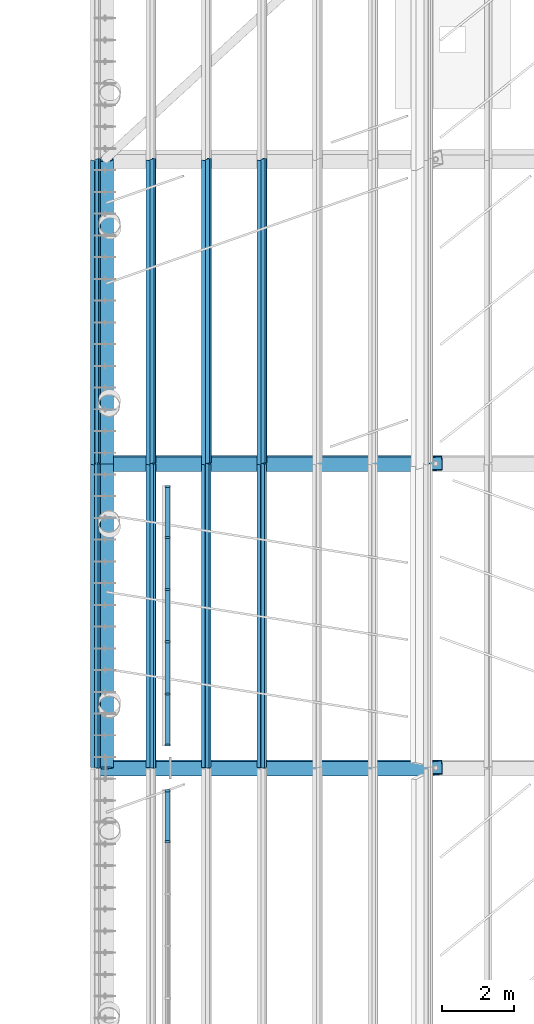
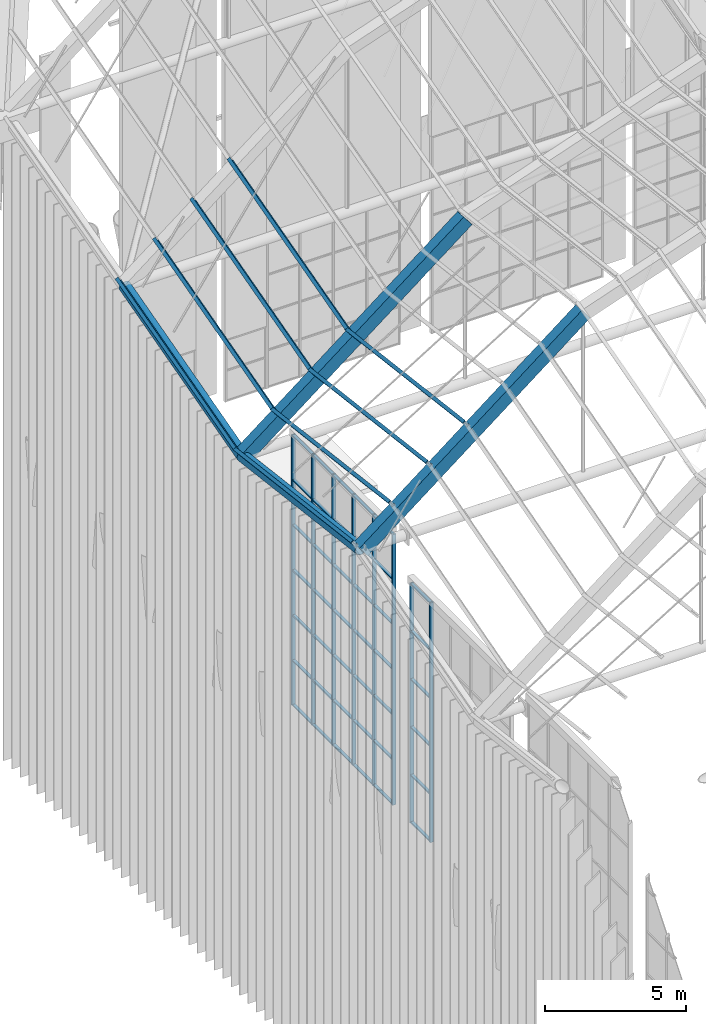
# One storey, part 26 of 126: 57 members, 4 beams, 2 elements without a shape of their own.
"""IFC4 building model written with IfcOpenShell, lengths in metres."""

from ifc_helpers import new_model, si_unit, direction, frame, origin, origin_2d, place, context, subcontext, project, spatial, polyline, rectangle, hollow_circle, i_section, outline, extrude, material, material_profile, profile_set, type_object, element, aggregate, save


model = new_model("IFC4")

# Units and contexts
model_context = context("Model", 3, precision=1e-05, world=origin(), true_north=direction((0.0, 1.0)))
body_context = subcontext(model_context, "Body", "Model", "MODEL_VIEW")
ifc_project = project(units=[si_unit("LENGTHUNIT", "METRE"), si_unit("AREAUNIT", "SQUARE_METRE"), si_unit("VOLUMEUNIT", "CUBIC_METRE"), si_unit("PLANEANGLEUNIT", "RADIAN"), si_unit("MASSUNIT", "GRAM", prefix="KILO")], contexts=[model_context])

# Site, building, storey
site_placement = place(None, origin())
site = spatial("IfcSite", under=ifc_project, at=site_placement, CompositionType="ELEMENT")
building_placement = place(site_placement, origin())
building = spatial("IfcBuilding", under=site, at=building_placement, Name="Sava Quay Ferry Terminal", CompositionType="ELEMENT")
storey_placement = place(building_placement, frame((0.0, 0.0, 15.0)))
storey = spatial("IfcBuildingStorey", under=building, at=storey_placement, Name="L03", CompositionType="ELEMENT", Elevation=15.0)

# Beams
ifc_material_1 = material(Name="Steel S355", Category="steel")
ifc_material_profile_1 = material_profile(ifc_material_1, outline(polyline([(-0.199951171875, -0.300048828125), (0.199951171875, -0.300048828125), (0.199951171875, 0.300048828125), (-0.199951171875, 0.300048828125), (-0.199951171875, -0.300048828125)]), holes=[polyline([(-0.175048828125, -0.27490234375), (-0.175048828125, 0.27490234375), (0.175048828125, 0.27490234375), (0.175048828125, -0.27490234375), (-0.175048828125, -0.27490234375)])]), Name="Box 600x400x25 built-up")
ifc_profile_set_1 = profile_set([ifc_material_profile_1], Name="Steel S355")
beam_type_1 = type_object("IfcBeamType", Name="D folded rib Box 600x400x25", PredefinedType="BEAM", material=ifc_profile_set_1)
for number, where, z_axis, x_axis, name in (
    (1, (42.0, 75.60009765625, 12.071044921875), (0.788010316968, 0.0, 0.615662034198), (-0.036969644414, 0.998195454511, 0.047318917839), "Departure hall folded rib R3 seg 1"),
    (2, (42.0, 84.0, 11.029052734375), (0.788010316968, 0.0, 0.615662034198), (-0.0353461917, 0.998350589221, 0.04524099616), "Departure hall folded rib R4 seg 1"),
):
    element("IfcBeam", number, at=place(storey_placement, frame(where, z_axis=z_axis, x_axis=x_axis)), inside=storey, type_object=beam_type_1, Name=name, PredefinedType="BEAM", context=body_context, shape_type="SweptSolid", body=[
        extrude(outline(polyline([(-0.199951171875, -0.300048828125), (0.199951171875, -0.300048828125), (0.199951171875, 0.300048828125), (-0.199951171875, 0.300048828125), (-0.199951171875, -0.300048828125)]), holes=[polyline([(-0.175048828125, -0.27490234375), (-0.175048828125, 0.27490234375), (0.175048828125, 0.27490234375), (0.175048828125, -0.27490234375), (-0.175048828125, -0.27490234375)])]), origin(), (0.0, 0.0, 1.0), 11.5859375),
    ])
ifc_material_2 = material(Name="Steel S355", Category="steel")
ifc_material_profile_2 = material_profile(ifc_material_2, hollow_circle(Radius=0.228515625, WallThickness=0.01611328125, at=origin_2d()), Name="CHS 457 x 16.0")
ifc_profile_set_2 = profile_set([ifc_material_profile_2], Name="Steel S355")
beam_type_2 = type_object("IfcBeamType", Name="Eave beam CHS 457x16", PredefinedType="BEAM", material=ifc_profile_set_2)
beam_1_placement = place(storey_placement, frame((42.0, 75.60009765625, 12.071044921875), z_axis=(0.0, 0.992393702798, -0.123104584187), x_axis=(-1.0, 0.0, 0.0)))
element("IfcBeam", 3, at=beam_1_placement, inside=storey, type_object=beam_type_2, Name="Departure hall eave beam L4", PredefinedType="BEAM", context=body_context, shape_type="SweptSolid", body=[
    extrude(hollow_circle(Radius=0.228515625, WallThickness=0.01611328125, at=origin_2d()), origin(), (0.0, 0.0, 1.0), 8.46435546875),
])
beam_2_placement = place(storey_placement, frame((42.0, 84.0, 11.029052734375), z_axis=(0.0, 0.964560390264, 0.263862186629), x_axis=(-1.0, 0.0, 0.0)))
element("IfcBeam", 4, at=beam_2_placement, inside=storey, type_object=beam_type_2, Name="Departure hall eave beam L5", PredefinedType="BEAM", context=body_context, shape_type="SweptSolid", body=[
    extrude(hollow_circle(Radius=0.228515625, WallThickness=0.01611328125, at=origin_2d()), origin(), (0.0, 0.0, 1.0), 8.70849609375),
])

# Curtain wall, members
ifc_material_3 = material(Name="Aluminium and glass curtain wall, double low-e glazed", Category="aluminium")
curtain_wall_type = type_object("IfcCurtainWallType", Name="Curtain wall CW-F flank", PredefinedType="NOTDEFINED", material=ifc_material_3)
curtain_wall_1_placement = place(storey_placement, origin())
curtain_wall_1 = element("IfcCurtainWall", 5, at=curtain_wall_1_placement, inside=storey, type_object=curtain_wall_type, Name="Curtain wall D-W L03 bay 3", PredefinedType="NOTDEFINED")
ifc_material_4 = material(Name="Aluminium EN AW-6063 T6", Category="aluminium")
ifc_material_profile_3 = material_profile(ifc_material_4, rectangle(XDim=0.14990234375, YDim=0.06005859375, at=origin_2d()), Name="Mullion 60x150 aluminium")
ifc_profile_set_3 = profile_set([ifc_material_profile_3], Name="Aluminium EN AW-6063 T6")
member_type_1 = type_object("IfcMemberType", Name="Mullion 60x150 aluminium", PredefinedType="MULLION", material=ifc_profile_set_3)
member_1_placement = place(storey_placement, frame((43.72509765625, 73.56005859375, 0.0), z_axis=(0.0, 0.0, 1.0), x_axis=(-1.0, 0.0, 0.0)))
member_1 = element("IfcMember", 6, at=member_1_placement, type_object=member_type_1, Name="CW106 mullion 5", PredefinedType="MULLION", context=body_context, shape_type="SweptSolid", body=[
    extrude(rectangle(XDim=0.14990234375, YDim=0.06005859375, at=origin_2d()), origin(), (0.0, 0.0, 1.0), 10.39990234375),
])
member_2_placement = place(storey_placement, frame((43.72509765625, 74.969970703125, 0.0), z_axis=(0.0, 0.0, 1.0), x_axis=(-1.0, 0.0, 0.0)))
member_2 = element("IfcMember", 7, at=member_2_placement, type_object=member_type_1, Name="CW106 mullion 6", PredefinedType="MULLION", context=body_context, shape_type="SweptSolid", body=[
    extrude(rectangle(XDim=0.14990234375, YDim=0.06005859375, at=origin_2d()), origin(), (0.0, 0.0, 1.0), 10.39990234375),
])

curtain_wall_2_placement = place(storey_placement, origin())
curtain_wall_2 = element("IfcCurtainWall", 8, at=curtain_wall_2_placement, inside=storey, type_object=curtain_wall_type, Name="Curtain wall D-W L03 bay 4", PredefinedType="NOTDEFINED")
member_3_placement = place(storey_placement, frame((43.72509765625, 76.22998046875, 0.0), z_axis=(0.0, 0.0, 1.0), x_axis=(-1.0, 0.0, 0.0)))
member_3 = element("IfcMember", 9, at=member_3_placement, type_object=member_type_1, Name="CW109 mullion 1", PredefinedType="MULLION", context=body_context, shape_type="SweptSolid", body=[
    extrude(rectangle(XDim=0.14990234375, YDim=0.06005859375, at=origin_2d()), origin(), (0.0, 0.0, 1.0), 11.75),
])
member_4_placement = place(storey_placement, frame((43.72509765625, 77.639892578125, 0.0), z_axis=(0.0, 0.0, 1.0), x_axis=(-1.0, 0.0, 0.0)))
member_4 = element("IfcMember", 10, at=member_4_placement, type_object=member_type_1, Name="CW109 mullion 2", PredefinedType="MULLION", context=body_context, shape_type="SweptSolid", body=[
    extrude(rectangle(XDim=0.14990234375, YDim=0.06005859375, at=origin_2d()), origin(), (0.0, 0.0, 1.0), 11.75),
])
member_5_placement = place(storey_placement, frame((43.72509765625, 79.080078125, 0.0), z_axis=(0.0, 0.0, 1.0), x_axis=(-1.0, 0.0, 0.0)))
member_5 = element("IfcMember", 11, at=member_5_placement, type_object=member_type_1, Name="CW109 mullion 3", PredefinedType="MULLION", context=body_context, shape_type="SweptSolid", body=[
    extrude(rectangle(XDim=0.14990234375, YDim=0.06005859375, at=origin_2d()), origin(), (0.0, 0.0, 1.0), 11.75),
])
member_6_placement = place(storey_placement, frame((43.72509765625, 80.52001953125, 0.0), z_axis=(0.0, 0.0, 1.0), x_axis=(-1.0, 0.0, 0.0)))
member_6 = element("IfcMember", 12, at=member_6_placement, type_object=member_type_1, Name="CW109 mullion 4", PredefinedType="MULLION", context=body_context, shape_type="SweptSolid", body=[
    extrude(rectangle(XDim=0.14990234375, YDim=0.06005859375, at=origin_2d()), origin(), (0.0, 0.0, 1.0), 11.75),
])
member_7_placement = place(storey_placement, frame((43.72509765625, 81.9599609375, 0.0), z_axis=(0.0, 0.0, 1.0), x_axis=(-1.0, 0.0, 0.0)))
member_7 = element("IfcMember", 13, at=member_7_placement, type_object=member_type_1, Name="CW109 mullion 5", PredefinedType="MULLION", context=body_context, shape_type="SweptSolid", body=[
    extrude(rectangle(XDim=0.14990234375, YDim=0.06005859375, at=origin_2d()), origin(), (0.0, 0.0, 1.0), 11.75),
])
member_8_placement = place(storey_placement, frame((43.72509765625, 83.3701171875, 0.0), z_axis=(0.0, 0.0, 1.0), x_axis=(-1.0, 0.0, 0.0)))
member_8 = element("IfcMember", 14, at=member_8_placement, type_object=member_type_1, Name="CW109 mullion 6", PredefinedType="MULLION", context=body_context, shape_type="SweptSolid", body=[
    extrude(rectangle(XDim=0.14990234375, YDim=0.06005859375, at=origin_2d()), origin(), (0.0, 0.0, 1.0), 11.75),
])

# Members
ifc_material_5 = material(Name="Steel S355", Category="steel")
ifc_material_profile_4 = material_profile(ifc_material_5, i_section(OverallWidth=0.135009765625, OverallDepth=0.27001953125, WebThickness=0.006591796875, FlangeThickness=0.01025390625, at=origin_2d()), Name="IPE 270")
ifc_profile_set_4 = profile_set([ifc_material_profile_4], Name="Steel S355")
member_type_2 = type_object("IfcMemberType", Name="Roof purlin IPE 270", PredefinedType="PURLIN", material=ifc_profile_set_4)
for number, where, z_axis, x_axis, name in (
    (15, (41.7333984375, 75.60009765625, 12.41748046875), (0.0, 0.992393702798, -0.123104584187), (-0.790283793055, -0.075431225352, -0.608080304463), "Departure hall edge purlin bay 4 V0"),
    (16, (43.2646484375, 75.60009765625, 13.61376953125), (0.0, 0.992393702798, -0.123104584187), (-0.790283793055, -0.075431225352, -0.608080304463), "Departure hall purlin bay 4 M0.1"),
    (17, (44.7958984375, 75.60009765625, 14.81005859375), (0.0, 0.992393702798, -0.123104584187), (-0.790283793055, -0.075431225352, -0.608080304463), "Departure hall purlin bay 4 M0.2"),
    (18, (46.3271484375, 75.60009765625, 16.00634765625), (0.0, 0.992393702798, -0.123104584187), (-0.790283793055, -0.075431225352, -0.608080304463), "Departure hall purlin bay 4 M0.3"),
):
    element("IfcMember", number, at=place(storey_placement, frame(where, z_axis=z_axis, x_axis=x_axis)), inside=storey, type_object=member_type_2, Name=name, PredefinedType="PURLIN", context=body_context, shape_type="SweptSolid", body=[
        extrude(i_section(OverallWidth=0.135009765625, OverallDepth=0.27001953125, WebThickness=0.006591796875, FlangeThickness=0.01025390625, at=origin_2d()), origin(), (0.0, 0.0, 1.0), 8.46435546875),
    ])
for number, where, z_axis, x_axis, name in (
    (19, (41.73828125, 84.0, 11.38916015625), (0.0, 0.964553254836, 0.263888269132), (-0.798620025874, 0.158817347079, -0.580502458685), "Departure hall edge purlin bay 5 V0"),
    (20, (43.269287109375, 84.0, 12.58544921875), (0.0, 0.964553254836, 0.263888269132), (-0.798620025874, 0.158817347079, -0.580502458685), "Departure hall purlin bay 5 M0.1"),
    (21, (44.800537109375, 84.0, 13.78173828125), (0.0, 0.964553254836, 0.263888269132), (-0.798620025874, 0.158817347079, -0.580502458685), "Departure hall purlin bay 5 M0.2"),
    (22, (46.331787109375, 84.0, 14.97802734375), (0.0, 0.964560390264, 0.263862186629), (-0.798620025874, 0.158801649701, -0.58050675304), "Departure hall purlin bay 5 M0.3"),
):
    element("IfcMember", number, at=place(storey_placement, frame(where, z_axis=z_axis, x_axis=x_axis)), inside=storey, type_object=member_type_2, Name=name, PredefinedType="PURLIN", context=body_context, shape_type="SweptSolid", body=[
        extrude(i_section(OverallWidth=0.135009765625, OverallDepth=0.27001953125, WebThickness=0.006591796875, FlangeThickness=0.01025390625, at=origin_2d()), origin(), (0.0, 0.0, 1.0), 8.70849609375),
    ])

# Member
ifc_material_6 = material(Name="Aluminium EN AW-6063 T6", Category="aluminium")
ifc_material_profile_5 = material_profile(ifc_material_6, rectangle(XDim=0.1201171875, YDim=0.050048828125, at=origin_2d()), Name="Transom 50x120 aluminium")
ifc_profile_set_5 = profile_set([ifc_material_profile_5], Name="Aluminium EN AW-6063 T6")
member_type_3 = type_object("IfcMemberType", Name="Transom 50x120 aluminium", PredefinedType="USERDEFINED", material=ifc_profile_set_5)
member_9_placement = place(storey_placement, frame((43.72509765625, 73.590087890625, 0.02490234375), z_axis=(0.0, 1.0, 0.0), x_axis=(-1.0, 0.0, 0.0)))
member_9 = element("IfcMember", 23, at=member_9_placement, type_object=member_type_3, Name="CW106 transom 5.1", ObjectType="TRANSOM", PredefinedType="USERDEFINED", context=body_context, shape_type="SweptSolid", body=[
    extrude(rectangle(XDim=0.1201171875, YDim=0.050048828125, at=origin_2d()), origin(), (0.0, 0.0, 1.0), 1.349853515625),
])

member_10_placement = place(storey_placement, frame((43.72509765625, 73.590087890625, 2.080078125), z_axis=(0.0, 1.0, 0.0), x_axis=(-1.0, 0.0, 0.0)))
member_10 = element("IfcMember", 24, at=member_10_placement, type_object=member_type_3, Name="CW106 transom 5.2", ObjectType="TRANSOM", PredefinedType="USERDEFINED", context=body_context, shape_type="SweptSolid", body=[
    extrude(rectangle(XDim=0.1201171875, YDim=0.050048828125, at=origin_2d()), origin(), (0.0, 0.0, 1.0), 1.349853515625),
])

member_11_placement = place(storey_placement, frame((43.72509765625, 73.590087890625, 4.159912109375), z_axis=(0.0, 1.0, 0.0), x_axis=(-1.0, 0.0, 0.0)))
member_11 = element("IfcMember", 25, at=member_11_placement, type_object=member_type_3, Name="CW106 transom 5.3", ObjectType="TRANSOM", PredefinedType="USERDEFINED", context=body_context, shape_type="SweptSolid", body=[
    extrude(rectangle(XDim=0.1201171875, YDim=0.050048828125, at=origin_2d()), origin(), (0.0, 0.0, 1.0), 1.349853515625),
])

member_12_placement = place(storey_placement, frame((43.72509765625, 73.590087890625, 6.239990234375), z_axis=(0.0, 1.0, 0.0), x_axis=(-1.0, 0.0, 0.0)))
member_12 = element("IfcMember", 26, at=member_12_placement, type_object=member_type_3, Name="CW106 transom 5.4", ObjectType="TRANSOM", PredefinedType="USERDEFINED", context=body_context, shape_type="SweptSolid", body=[
    extrude(rectangle(XDim=0.1201171875, YDim=0.050048828125, at=origin_2d()), origin(), (0.0, 0.0, 1.0), 1.349853515625),
])

member_13_placement = place(storey_placement, frame((43.72509765625, 73.590087890625, 8.320068359375), z_axis=(0.0, 1.0, 0.0), x_axis=(-1.0, 0.0, 0.0)))
member_13 = element("IfcMember", 27, at=member_13_placement, type_object=member_type_3, Name="CW106 transom 5.5", ObjectType="TRANSOM", PredefinedType="USERDEFINED", context=body_context, shape_type="SweptSolid", body=[
    extrude(rectangle(XDim=0.1201171875, YDim=0.050048828125, at=origin_2d()), origin(), (0.0, 0.0, 1.0), 1.349853515625),
])

member_14_placement = place(storey_placement, frame((43.72509765625, 73.590087890625, 10.375), z_axis=(0.0, 1.0, 0.0), x_axis=(-1.0, 0.0, 0.0)))
member_14 = element("IfcMember", 28, at=member_14_placement, type_object=member_type_3, Name="CW106 transom 5.6", ObjectType="TRANSOM", PredefinedType="USERDEFINED", context=body_context, shape_type="SweptSolid", body=[
    extrude(rectangle(XDim=0.1201171875, YDim=0.050048828125, at=origin_2d()), origin(), (0.0, 0.0, 1.0), 1.349853515625),
])

aggregate(curtain_wall_1, [member_1, member_2, member_9, member_10, member_11, member_12, member_13, member_14])

member_15_placement = place(storey_placement, frame((43.72509765625, 76.260009765625, 0.02490234375), z_axis=(0.0, 1.0, 0.0), x_axis=(-1.0, 0.0, 0.0)))
member_15 = element("IfcMember", 29, at=member_15_placement, type_object=member_type_3, Name="CW109 transom 1.1", ObjectType="TRANSOM", PredefinedType="USERDEFINED", context=body_context, shape_type="SweptSolid", body=[
    extrude(rectangle(XDim=0.1201171875, YDim=0.050048828125, at=origin_2d()), origin(), (0.0, 0.0, 1.0), 1.35009765625),
])

member_16_placement = place(storey_placement, frame((43.72509765625, 76.260009765625, 1.958251953125), z_axis=(0.0, 1.0, 0.0), x_axis=(-1.0, 0.0, 0.0)))
member_16 = element("IfcMember", 30, at=member_16_placement, type_object=member_type_3, Name="CW109 transom 1.2", ObjectType="TRANSOM", PredefinedType="USERDEFINED", context=body_context, shape_type="SweptSolid", body=[
    extrude(rectangle(XDim=0.1201171875, YDim=0.050048828125, at=origin_2d()), origin(), (0.0, 0.0, 1.0), 1.35009765625),
])

member_17_placement = place(storey_placement, frame((43.72509765625, 76.260009765625, 3.916748046875), z_axis=(0.0, 1.0, 0.0), x_axis=(-1.0, 0.0, 0.0)))
member_17 = element("IfcMember", 31, at=member_17_placement, type_object=member_type_3, Name="CW109 transom 1.3", ObjectType="TRANSOM", PredefinedType="USERDEFINED", context=body_context, shape_type="SweptSolid", body=[
    extrude(rectangle(XDim=0.1201171875, YDim=0.050048828125, at=origin_2d()), origin(), (0.0, 0.0, 1.0), 1.35009765625),
])

member_18_placement = place(storey_placement, frame((43.72509765625, 76.260009765625, 5.875), z_axis=(0.0, 1.0, 0.0), x_axis=(-1.0, 0.0, 0.0)))
member_18 = element("IfcMember", 32, at=member_18_placement, type_object=member_type_3, Name="CW109 transom 1.4", ObjectType="TRANSOM", PredefinedType="USERDEFINED", context=body_context, shape_type="SweptSolid", body=[
    extrude(rectangle(XDim=0.1201171875, YDim=0.050048828125, at=origin_2d()), origin(), (0.0, 0.0, 1.0), 1.35009765625),
])

member_19_placement = place(storey_placement, frame((43.72509765625, 76.260009765625, 7.833251953125), z_axis=(0.0, 1.0, 0.0), x_axis=(-1.0, 0.0, 0.0)))
member_19 = element("IfcMember", 33, at=member_19_placement, type_object=member_type_3, Name="CW109 transom 1.5", ObjectType="TRANSOM", PredefinedType="USERDEFINED", context=body_context, shape_type="SweptSolid", body=[
    extrude(rectangle(XDim=0.1201171875, YDim=0.050048828125, at=origin_2d()), origin(), (0.0, 0.0, 1.0), 1.35009765625),
])

member_20_placement = place(storey_placement, frame((43.72509765625, 76.260009765625, 9.791748046875), z_axis=(0.0, 1.0, 0.0), x_axis=(-1.0, 0.0, 0.0)))
member_20 = element("IfcMember", 34, at=member_20_placement, type_object=member_type_3, Name="CW109 transom 1.6", ObjectType="TRANSOM", PredefinedType="USERDEFINED", context=body_context, shape_type="SweptSolid", body=[
    extrude(rectangle(XDim=0.1201171875, YDim=0.050048828125, at=origin_2d()), origin(), (0.0, 0.0, 1.0), 1.35009765625),
])

member_21_placement = place(storey_placement, frame((43.72509765625, 76.260009765625, 11.72509765625), z_axis=(0.0, 1.0, 0.0), x_axis=(-1.0, 0.0, 0.0)))
member_21 = element("IfcMember", 35, at=member_21_placement, type_object=member_type_3, Name="CW109 transom 1.7", ObjectType="TRANSOM", PredefinedType="USERDEFINED", context=body_context, shape_type="SweptSolid", body=[
    extrude(rectangle(XDim=0.1201171875, YDim=0.050048828125, at=origin_2d()), origin(), (0.0, 0.0, 1.0), 1.35009765625),
])

member_22_placement = place(storey_placement, frame((43.72509765625, 77.669921875, 0.02490234375), z_axis=(0.0, 1.0, 0.0), x_axis=(-1.0, 0.0, 0.0)))
member_22 = element("IfcMember", 36, at=member_22_placement, type_object=member_type_3, Name="CW109 transom 2.1", ObjectType="TRANSOM", PredefinedType="USERDEFINED", context=body_context, shape_type="SweptSolid", body=[
    extrude(rectangle(XDim=0.1201171875, YDim=0.050048828125, at=origin_2d()), origin(), (0.0, 0.0, 1.0), 1.380126953125),
])

member_23_placement = place(storey_placement, frame((43.72509765625, 77.669921875, 1.958251953125), z_axis=(0.0, 1.0, 0.0), x_axis=(-1.0, 0.0, 0.0)))
member_23 = element("IfcMember", 37, at=member_23_placement, type_object=member_type_3, Name="CW109 transom 2.2", ObjectType="TRANSOM", PredefinedType="USERDEFINED", context=body_context, shape_type="SweptSolid", body=[
    extrude(rectangle(XDim=0.1201171875, YDim=0.050048828125, at=origin_2d()), origin(), (0.0, 0.0, 1.0), 1.380126953125),
])

member_24_placement = place(storey_placement, frame((43.72509765625, 77.669921875, 3.916748046875), z_axis=(0.0, 1.0, 0.0), x_axis=(-1.0, 0.0, 0.0)))
member_24 = element("IfcMember", 38, at=member_24_placement, type_object=member_type_3, Name="CW109 transom 2.3", ObjectType="TRANSOM", PredefinedType="USERDEFINED", context=body_context, shape_type="SweptSolid", body=[
    extrude(rectangle(XDim=0.1201171875, YDim=0.050048828125, at=origin_2d()), origin(), (0.0, 0.0, 1.0), 1.380126953125),
])

member_25_placement = place(storey_placement, frame((43.72509765625, 77.669921875, 5.875), z_axis=(0.0, 1.0, 0.0), x_axis=(-1.0, 0.0, 0.0)))
member_25 = element("IfcMember", 39, at=member_25_placement, type_object=member_type_3, Name="CW109 transom 2.4", ObjectType="TRANSOM", PredefinedType="USERDEFINED", context=body_context, shape_type="SweptSolid", body=[
    extrude(rectangle(XDim=0.1201171875, YDim=0.050048828125, at=origin_2d()), origin(), (0.0, 0.0, 1.0), 1.380126953125),
])

member_26_placement = place(storey_placement, frame((43.72509765625, 77.669921875, 7.833251953125), z_axis=(0.0, 1.0, 0.0), x_axis=(-1.0, 0.0, 0.0)))
member_26 = element("IfcMember", 40, at=member_26_placement, type_object=member_type_3, Name="CW109 transom 2.5", ObjectType="TRANSOM", PredefinedType="USERDEFINED", context=body_context, shape_type="SweptSolid", body=[
    extrude(rectangle(XDim=0.1201171875, YDim=0.050048828125, at=origin_2d()), origin(), (0.0, 0.0, 1.0), 1.380126953125),
])

member_27_placement = place(storey_placement, frame((43.72509765625, 77.669921875, 9.791748046875), z_axis=(0.0, 1.0, 0.0), x_axis=(-1.0, 0.0, 0.0)))
member_27 = element("IfcMember", 41, at=member_27_placement, type_object=member_type_3, Name="CW109 transom 2.6", ObjectType="TRANSOM", PredefinedType="USERDEFINED", context=body_context, shape_type="SweptSolid", body=[
    extrude(rectangle(XDim=0.1201171875, YDim=0.050048828125, at=origin_2d()), origin(), (0.0, 0.0, 1.0), 1.380126953125),
])

member_28_placement = place(storey_placement, frame((43.72509765625, 77.669921875, 11.72509765625), z_axis=(0.0, 1.0, 0.0), x_axis=(-1.0, 0.0, 0.0)))
member_28 = element("IfcMember", 42, at=member_28_placement, type_object=member_type_3, Name="CW109 transom 2.7", ObjectType="TRANSOM", PredefinedType="USERDEFINED", context=body_context, shape_type="SweptSolid", body=[
    extrude(rectangle(XDim=0.1201171875, YDim=0.050048828125, at=origin_2d()), origin(), (0.0, 0.0, 1.0), 1.380126953125),
])

member_29_placement = place(storey_placement, frame((43.72509765625, 79.110107421875, 0.02490234375), z_axis=(0.0, 1.0, 0.0), x_axis=(-1.0, 0.0, 0.0)))
member_29 = element("IfcMember", 43, at=member_29_placement, type_object=member_type_3, Name="CW109 transom 3.1", ObjectType="TRANSOM", PredefinedType="USERDEFINED", context=body_context, shape_type="SweptSolid", body=[
    extrude(rectangle(XDim=0.1201171875, YDim=0.050048828125, at=origin_2d()), origin(), (0.0, 0.0, 1.0), 1.3798828125),
])

member_30_placement = place(storey_placement, frame((43.72509765625, 79.110107421875, 1.958251953125), z_axis=(0.0, 1.0, 0.0), x_axis=(-1.0, 0.0, 0.0)))
member_30 = element("IfcMember", 44, at=member_30_placement, type_object=member_type_3, Name="CW109 transom 3.2", ObjectType="TRANSOM", PredefinedType="USERDEFINED", context=body_context, shape_type="SweptSolid", body=[
    extrude(rectangle(XDim=0.1201171875, YDim=0.050048828125, at=origin_2d()), origin(), (0.0, 0.0, 1.0), 1.3798828125),
])

member_31_placement = place(storey_placement, frame((43.72509765625, 79.110107421875, 3.916748046875), z_axis=(0.0, 1.0, 0.0), x_axis=(-1.0, 0.0, 0.0)))
member_31 = element("IfcMember", 45, at=member_31_placement, type_object=member_type_3, Name="CW109 transom 3.3", ObjectType="TRANSOM", PredefinedType="USERDEFINED", context=body_context, shape_type="SweptSolid", body=[
    extrude(rectangle(XDim=0.1201171875, YDim=0.050048828125, at=origin_2d()), origin(), (0.0, 0.0, 1.0), 1.3798828125),
])

member_32_placement = place(storey_placement, frame((43.72509765625, 79.110107421875, 5.875), z_axis=(0.0, 1.0, 0.0), x_axis=(-1.0, 0.0, 0.0)))
member_32 = element("IfcMember", 46, at=member_32_placement, type_object=member_type_3, Name="CW109 transom 3.4", ObjectType="TRANSOM", PredefinedType="USERDEFINED", context=body_context, shape_type="SweptSolid", body=[
    extrude(rectangle(XDim=0.1201171875, YDim=0.050048828125, at=origin_2d()), origin(), (0.0, 0.0, 1.0), 1.3798828125),
])

member_33_placement = place(storey_placement, frame((43.72509765625, 79.110107421875, 7.833251953125), z_axis=(0.0, 1.0, 0.0), x_axis=(-1.0, 0.0, 0.0)))
member_33 = element("IfcMember", 47, at=member_33_placement, type_object=member_type_3, Name="CW109 transom 3.5", ObjectType="TRANSOM", PredefinedType="USERDEFINED", context=body_context, shape_type="SweptSolid", body=[
    extrude(rectangle(XDim=0.1201171875, YDim=0.050048828125, at=origin_2d()), origin(), (0.0, 0.0, 1.0), 1.3798828125),
])

member_34_placement = place(storey_placement, frame((43.72509765625, 79.110107421875, 9.791748046875), z_axis=(0.0, 1.0, 0.0), x_axis=(-1.0, 0.0, 0.0)))
member_34 = element("IfcMember", 48, at=member_34_placement, type_object=member_type_3, Name="CW109 transom 3.6", ObjectType="TRANSOM", PredefinedType="USERDEFINED", context=body_context, shape_type="SweptSolid", body=[
    extrude(rectangle(XDim=0.1201171875, YDim=0.050048828125, at=origin_2d()), origin(), (0.0, 0.0, 1.0), 1.3798828125),
])

member_35_placement = place(storey_placement, frame((43.72509765625, 79.110107421875, 11.72509765625), z_axis=(0.0, 1.0, 0.0), x_axis=(-1.0, 0.0, 0.0)))
member_35 = element("IfcMember", 49, at=member_35_placement, type_object=member_type_3, Name="CW109 transom 3.7", ObjectType="TRANSOM", PredefinedType="USERDEFINED", context=body_context, shape_type="SweptSolid", body=[
    extrude(rectangle(XDim=0.1201171875, YDim=0.050048828125, at=origin_2d()), origin(), (0.0, 0.0, 1.0), 1.3798828125),
])

member_36_placement = place(storey_placement, frame((43.72509765625, 80.550048828125, 0.02490234375), z_axis=(0.0, 1.0, 0.0), x_axis=(-1.0, 0.0, 0.0)))
member_36 = element("IfcMember", 50, at=member_36_placement, type_object=member_type_3, Name="CW109 transom 4.1", ObjectType="TRANSOM", PredefinedType="USERDEFINED", context=body_context, shape_type="SweptSolid", body=[
    extrude(rectangle(XDim=0.1201171875, YDim=0.050048828125, at=origin_2d()), origin(), (0.0, 0.0, 1.0), 1.3798828125),
])

member_37_placement = place(storey_placement, frame((43.72509765625, 80.550048828125, 1.958251953125), z_axis=(0.0, 1.0, 0.0), x_axis=(-1.0, 0.0, 0.0)))
member_37 = element("IfcMember", 51, at=member_37_placement, type_object=member_type_3, Name="CW109 transom 4.2", ObjectType="TRANSOM", PredefinedType="USERDEFINED", context=body_context, shape_type="SweptSolid", body=[
    extrude(rectangle(XDim=0.1201171875, YDim=0.050048828125, at=origin_2d()), origin(), (0.0, 0.0, 1.0), 1.3798828125),
])

member_38_placement = place(storey_placement, frame((43.72509765625, 80.550048828125, 3.916748046875), z_axis=(0.0, 1.0, 0.0), x_axis=(-1.0, 0.0, 0.0)))
member_38 = element("IfcMember", 52, at=member_38_placement, type_object=member_type_3, Name="CW109 transom 4.3", ObjectType="TRANSOM", PredefinedType="USERDEFINED", context=body_context, shape_type="SweptSolid", body=[
    extrude(rectangle(XDim=0.1201171875, YDim=0.050048828125, at=origin_2d()), origin(), (0.0, 0.0, 1.0), 1.3798828125),
])

member_39_placement = place(storey_placement, frame((43.72509765625, 80.550048828125, 5.875), z_axis=(0.0, 1.0, 0.0), x_axis=(-1.0, 0.0, 0.0)))
member_39 = element("IfcMember", 53, at=member_39_placement, type_object=member_type_3, Name="CW109 transom 4.4", ObjectType="TRANSOM", PredefinedType="USERDEFINED", context=body_context, shape_type="SweptSolid", body=[
    extrude(rectangle(XDim=0.1201171875, YDim=0.050048828125, at=origin_2d()), origin(), (0.0, 0.0, 1.0), 1.3798828125),
])

member_40_placement = place(storey_placement, frame((43.72509765625, 80.550048828125, 7.833251953125), z_axis=(0.0, 1.0, 0.0), x_axis=(-1.0, 0.0, 0.0)))
member_40 = element("IfcMember", 54, at=member_40_placement, type_object=member_type_3, Name="CW109 transom 4.5", ObjectType="TRANSOM", PredefinedType="USERDEFINED", context=body_context, shape_type="SweptSolid", body=[
    extrude(rectangle(XDim=0.1201171875, YDim=0.050048828125, at=origin_2d()), origin(), (0.0, 0.0, 1.0), 1.3798828125),
])

member_41_placement = place(storey_placement, frame((43.72509765625, 80.550048828125, 9.791748046875), z_axis=(0.0, 1.0, 0.0), x_axis=(-1.0, 0.0, 0.0)))
member_41 = element("IfcMember", 55, at=member_41_placement, type_object=member_type_3, Name="CW109 transom 4.6", ObjectType="TRANSOM", PredefinedType="USERDEFINED", context=body_context, shape_type="SweptSolid", body=[
    extrude(rectangle(XDim=0.1201171875, YDim=0.050048828125, at=origin_2d()), origin(), (0.0, 0.0, 1.0), 1.3798828125),
])

member_42_placement = place(storey_placement, frame((43.72509765625, 80.550048828125, 11.72509765625), z_axis=(0.0, 1.0, 0.0), x_axis=(-1.0, 0.0, 0.0)))
member_42 = element("IfcMember", 56, at=member_42_placement, type_object=member_type_3, Name="CW109 transom 4.7", ObjectType="TRANSOM", PredefinedType="USERDEFINED", context=body_context, shape_type="SweptSolid", body=[
    extrude(rectangle(XDim=0.1201171875, YDim=0.050048828125, at=origin_2d()), origin(), (0.0, 0.0, 1.0), 1.3798828125),
])

member_43_placement = place(storey_placement, frame((43.72509765625, 81.989990234375, 0.02490234375), z_axis=(0.0, 1.0, 0.0), x_axis=(-1.0, 0.0, 0.0)))
member_43 = element("IfcMember", 57, at=member_43_placement, type_object=member_type_3, Name="CW109 transom 5.1", ObjectType="TRANSOM", PredefinedType="USERDEFINED", context=body_context, shape_type="SweptSolid", body=[
    extrude(rectangle(XDim=0.1201171875, YDim=0.050048828125, at=origin_2d()), origin(), (0.0, 0.0, 1.0), 1.35009765625),
])

member_44_placement = place(storey_placement, frame((43.72509765625, 81.989990234375, 1.958251953125), z_axis=(0.0, 1.0, 0.0), x_axis=(-1.0, 0.0, 0.0)))
member_44 = element("IfcMember", 58, at=member_44_placement, type_object=member_type_3, Name="CW109 transom 5.2", ObjectType="TRANSOM", PredefinedType="USERDEFINED", context=body_context, shape_type="SweptSolid", body=[
    extrude(rectangle(XDim=0.1201171875, YDim=0.050048828125, at=origin_2d()), origin(), (0.0, 0.0, 1.0), 1.35009765625),
])

member_45_placement = place(storey_placement, frame((43.72509765625, 81.989990234375, 3.916748046875), z_axis=(0.0, 1.0, 0.0), x_axis=(-1.0, 0.0, 0.0)))
member_45 = element("IfcMember", 59, at=member_45_placement, type_object=member_type_3, Name="CW109 transom 5.3", ObjectType="TRANSOM", PredefinedType="USERDEFINED", context=body_context, shape_type="SweptSolid", body=[
    extrude(rectangle(XDim=0.1201171875, YDim=0.050048828125, at=origin_2d()), origin(), (0.0, 0.0, 1.0), 1.35009765625),
])

member_46_placement = place(storey_placement, frame((43.72509765625, 81.989990234375, 5.875), z_axis=(0.0, 1.0, 0.0), x_axis=(-1.0, 0.0, 0.0)))
member_46 = element("IfcMember", 60, at=member_46_placement, type_object=member_type_3, Name="CW109 transom 5.4", ObjectType="TRANSOM", PredefinedType="USERDEFINED", context=body_context, shape_type="SweptSolid", body=[
    extrude(rectangle(XDim=0.1201171875, YDim=0.050048828125, at=origin_2d()), origin(), (0.0, 0.0, 1.0), 1.35009765625),
])

member_47_placement = place(storey_placement, frame((43.72509765625, 81.989990234375, 7.833251953125), z_axis=(0.0, 1.0, 0.0), x_axis=(-1.0, 0.0, 0.0)))
member_47 = element("IfcMember", 61, at=member_47_placement, type_object=member_type_3, Name="CW109 transom 5.5", ObjectType="TRANSOM", PredefinedType="USERDEFINED", context=body_context, shape_type="SweptSolid", body=[
    extrude(rectangle(XDim=0.1201171875, YDim=0.050048828125, at=origin_2d()), origin(), (0.0, 0.0, 1.0), 1.35009765625),
])

member_48_placement = place(storey_placement, frame((43.72509765625, 81.989990234375, 9.791748046875), z_axis=(0.0, 1.0, 0.0), x_axis=(-1.0, 0.0, 0.0)))
member_48 = element("IfcMember", 62, at=member_48_placement, type_object=member_type_3, Name="CW109 transom 5.6", ObjectType="TRANSOM", PredefinedType="USERDEFINED", context=body_context, shape_type="SweptSolid", body=[
    extrude(rectangle(XDim=0.1201171875, YDim=0.050048828125, at=origin_2d()), origin(), (0.0, 0.0, 1.0), 1.35009765625),
])

member_49_placement = place(storey_placement, frame((43.72509765625, 81.989990234375, 11.72509765625), z_axis=(0.0, 1.0, 0.0), x_axis=(-1.0, 0.0, 0.0)))
member_49 = element("IfcMember", 63, at=member_49_placement, type_object=member_type_3, Name="CW109 transom 5.7", ObjectType="TRANSOM", PredefinedType="USERDEFINED", context=body_context, shape_type="SweptSolid", body=[
    extrude(rectangle(XDim=0.1201171875, YDim=0.050048828125, at=origin_2d()), origin(), (0.0, 0.0, 1.0), 1.35009765625),
])

aggregate(curtain_wall_2, [member_3, member_4, member_5, member_6, member_7, member_8, member_15, member_16, member_17, member_18, member_19, member_20, member_21, member_22, member_23, member_24, member_25, member_26, member_27, member_28, member_29, member_30, member_31, member_32, member_33, member_34, member_35, member_36, member_37, member_38, member_39, member_40, member_41, member_42, member_43, member_44, member_45, member_46, member_47, member_48, member_49])

save(model, "model.ifc")
